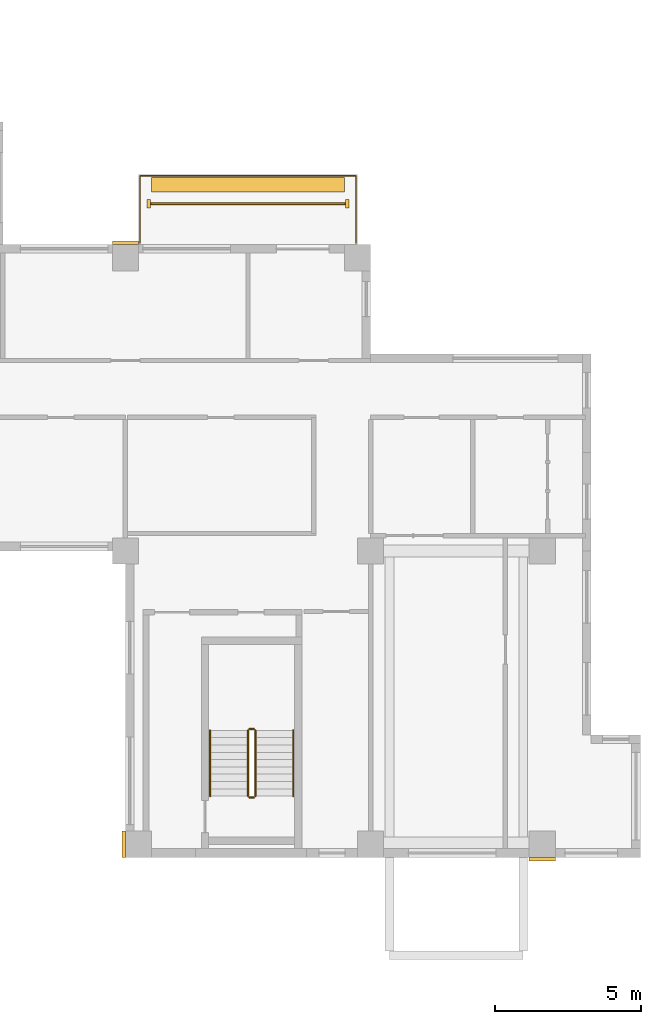
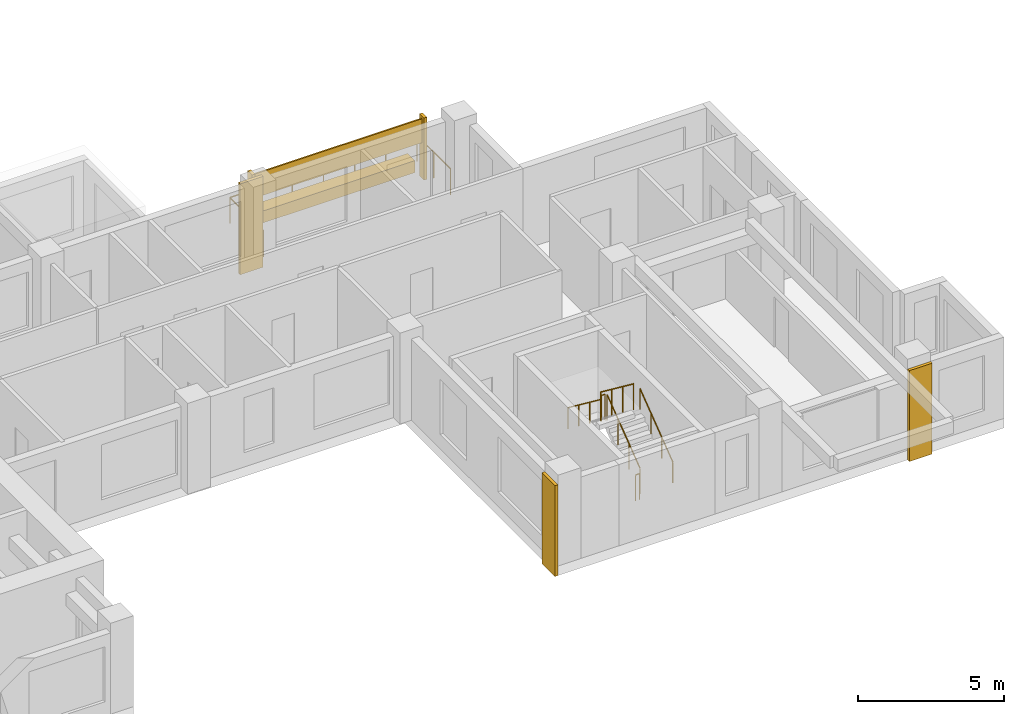
# One storey, part 10 of 11: 7 coverings, 7 railings.
"""IFC4 building model written with IfcOpenShell, lengths in metres."""

from ifc_helpers import new_model, si_unit, direction, frame, origin, origin_2d, place, context, subcontext, project, spatial, rectangle, circle, extrude, source, transform, mapped, material, type_object, element, save


model = new_model("IFC4")

# Units and contexts
model_context = context("Model", 3, precision=1e-05, world=origin(), true_north=direction((0.0, 1.0)))
body_context = subcontext(model_context, "Body", "Model", "MODEL_VIEW")
ifc_project = project(units=[si_unit("LENGTHUNIT", "METRE"), si_unit("AREAUNIT", "SQUARE_METRE"), si_unit("VOLUMEUNIT", "CUBIC_METRE"), si_unit("PLANEANGLEUNIT", "RADIAN"), si_unit("MASSUNIT", "GRAM", prefix="KILO")], contexts=[model_context])

# Site, building, storey
site_placement = place(None, origin())
site = spatial("IfcSite", under=ifc_project, at=site_placement, CompositionType="ELEMENT")
building_placement = place(site_placement, origin())
building = spatial("IfcBuilding", under=site, at=building_placement, Name="Aurelian Terraces", CompositionType="ELEMENT")
storey_placement = place(building_placement, frame((0.0, 0.0, 208.2)))
storey = spatial("IfcBuildingStorey", under=building, at=storey_placement, Name="L46", CompositionType="ELEMENT", Elevation=208.2)

# Railing
ifc_material_1 = material(Name="Anodised aluminium", Category="aluminium")
railing_type_1 = type_object("IfcRailingType", Name="GUARD-1100", PredefinedType="GUARDRAIL", material=ifc_material_1)
railing_1_placement = place(storey_placement, frame((45.7, 21.05, 0.0)))
element("IfcRailing", 1, at=railing_1_placement, inside=storey, type_object=railing_type_1, Name="Balcony guard L46 F11.19", PredefinedType="GUARDRAIL", context=body_context, shape_type="SweptSolid", body=[
    extrude(circle(Radius=0.024, at=origin_2d()), frame((0.0, 0.0, 1.076), z_axis=(0.0, 1.0, 0.0), x_axis=(-1.0, 0.0, 0.0)), (0.0, 0.0, 1.0), 2.3),
    extrude(circle(Radius=0.024, at=origin_2d()), frame((0.0, 2.3, 1.076), z_axis=(-1.0, 0.0, 0.0), x_axis=(0.0, -1.0, 0.0)), (0.0, 0.0, 1.0), 7.4),
    extrude(circle(Radius=0.024, at=origin_2d()), frame((-7.4, 2.3, 1.076), z_axis=(0.0, -1.0, 0.0), x_axis=(1.0, 0.0, 0.0)), (0.0, 0.0, 1.0), 2.3),
    extrude(circle(Radius=0.021, at=origin_2d()), origin(), (0.0, 0.0, 1.0), 1.052),
    extrude(circle(Radius=0.021, at=origin_2d()), frame((0.0, 1.15, 0.0)), (0.0, 0.0, 1.0), 1.052),
    extrude(circle(Radius=0.021, at=origin_2d()), frame((0.0, 2.3, 0.0)), (0.0, 0.0, 1.0), 1.052),
    extrude(circle(Radius=0.021, at=origin_2d()), frame((-1.2333, 2.3, 0.0)), (0.0, 0.0, 1.0), 1.052),
    extrude(circle(Radius=0.021, at=origin_2d()), frame((-2.4667, 2.3, 0.0)), (0.0, 0.0, 1.0), 1.052),
    extrude(circle(Radius=0.021, at=origin_2d()), frame((-3.7, 2.3, 0.0)), (0.0, 0.0, 1.0), 1.052),
    extrude(circle(Radius=0.021, at=origin_2d()), frame((-4.9333, 2.3, 0.0)), (0.0, 0.0, 1.0), 1.052),
    extrude(circle(Radius=0.021, at=origin_2d()), frame((-6.1667, 2.3, 0.0)), (0.0, 0.0, 1.0), 1.052),
    extrude(circle(Radius=0.021, at=origin_2d()), frame((-7.4, 2.3, 0.0)), (0.0, 0.0, 1.0), 1.052),
    extrude(circle(Radius=0.021, at=origin_2d()), frame((-7.4, 1.15, 0.0)), (0.0, 0.0, 1.0), 1.052),
    extrude(circle(Radius=0.021, at=origin_2d()), frame((-7.4, 0.0, 0.0)), (0.0, 0.0, 1.0), 1.052),
])

# Coverings
ifc_material_2 = material(Name="Terracotta planter with planting soil", Category="masonry")
covering_type_1 = type_object("IfcCoveringType", Name="PLANTER-TROUGH", PredefinedType="USERDEFINED", material=ifc_material_2)
covering_1_placement = place(storey_placement, frame((42.0, 23.05, 0.0), z_axis=(0.0, 0.0, 1.0), x_axis=(1.0, 0.0, 0.0)))
element("IfcCovering", 2, at=covering_1_placement, inside=storey, type_object=covering_type_1, Name="PLANTER L46 L46-F11-19", ObjectType="PLANTER", PredefinedType="USERDEFINED", context=body_context, shape_type="SweptSolid", body=[
    extrude(rectangle(XDim=6.6, YDim=0.5, at=origin_2d()), origin(), (0.0, 0.0, 1.0), 0.5),
])
ifc_material_3 = material(Name="Terracotta rainscreen cladding", Category="masonry")
covering_type_2 = type_object("IfcCoveringType", Name="SCREEN-TC", PredefinedType="CLADDING", material=ifc_material_3)
covering_2_placement = place(storey_placement, frame((42.0, 22.4, 1.5), z_axis=(0.0, 0.0, 1.0), x_axis=(1.0, 0.0, 0.0)))
element("IfcCovering", 3, at=covering_2_placement, inside=storey, type_object=covering_type_2, Name="SCREEN L46 L46-F11-19", PredefinedType="CLADDING", context=body_context, shape_type="SweptSolid", body=[
    extrude(rectangle(XDim=6.68, YDim=0.06, at=origin_2d()), origin(), (0.0, 0.0, 1.0), 1.0),
])
ifc_material_4 = material(Name="Terracotta rainscreen cladding relief", Category="masonry")
covering_type_3 = type_object("IfcCoveringType", Name="FIN-TC", PredefinedType="CLADDING", material=ifc_material_4)
shared_shape_1 = source(origin(), body_context, "Body", "SweptSolid", [
    extrude(rectangle(XDim=0.12, YDim=0.3, at=origin_2d()), origin(), (0.0, 0.0, 1.0), 2.6),
])
for number, where, z_axis, x_axis, name in (
    (4, (45.4, 22.4, 0.0), (0.0, 0.0, 1.0), (1.0, 0.0, 0.0), "FIN L46 L46-F11-19.1"),
    (5, (38.6, 22.4, 0.0), (0.0, 0.0, 1.0), (1.0, 0.0, 0.0), "FIN L46 L46-F11-19.2"),
):
    element("IfcCovering", number, at=place(storey_placement, frame(where, z_axis=z_axis, x_axis=x_axis)), inside=storey, type_object=covering_type_3, Name=name, PredefinedType="CLADDING", context=body_context, shape_type="MappedRepresentation", body=[
        mapped(shared_shape_1, transform((0.0, 0.0, 0.0), scale=1.0)),
    ])
covering_type_4 = type_object("IfcCoveringType", Name="BAGUETTE-TC", PredefinedType="CLADDING", material=ifc_material_4)
shared_shape_2 = source(origin(), body_context, "Body", "SweptSolid", [
    extrude(rectangle(XDim=0.9, YDim=0.12, at=origin_2d()), origin(), (0.0, 0.0, 1.0), 3.8),
])
for number, where, z_axis, x_axis, name in (
    (6, (52.08, -0.06, -0.4), (0.0, 0.0, 1.0), (1.0, 0.0, 0.0), "BAGUETTE pier L46 3"),
    (7, (37.8, 21.06, -0.4), (0.0, 0.0, 1.0), (1.0, 0.0, 0.0), "BAGUETTE pier L46 5"),
):
    element("IfcCovering", number, at=place(storey_placement, frame(where, z_axis=z_axis, x_axis=x_axis)), inside=storey, type_object=covering_type_4, Name=name, PredefinedType="CLADDING", context=body_context, shape_type="MappedRepresentation", body=[
        mapped(shared_shape_2, transform((0.0, 0.0, 0.0), scale=1.0)),
    ])
shared_shape_3 = source(origin(), body_context, "Body", "SweptSolid", [
    extrude(rectangle(XDim=0.12, YDim=0.9, at=origin_2d()), origin(), (0.0, 0.0, 1.0), 3.8),
])
covering_3_placement = place(storey_placement, frame((37.74, 0.45, -0.4), z_axis=(0.0, 0.0, 1.0), x_axis=(1.0, 0.0, 0.0)))
element("IfcCovering", 8, at=covering_3_placement, inside=storey, type_object=covering_type_4, Name="BAGUETTE pier L46 2", PredefinedType="CLADDING", context=body_context, shape_type="MappedRepresentation", body=[
    mapped(shared_shape_3, transform((0.0, 0.0, 0.0), scale=1.0)),
])

# Railings
ifc_material_5 = material(Name="Stainless steel", Category="steel")
railing_type_2 = type_object("IfcRailingType", Name="Stair guard 1100", PredefinedType="GUARDRAIL", material=ifc_material_5)
shared_shape_4 = source(origin(), body_context, "Body", "SweptSolid", [
    extrude(circle(Radius=0.024, at=origin_2d()), frame((0.0, 0.0, 1.076), z_axis=(-1.0, 0.0, 0.0), x_axis=(0.0, -1.0, 0.0)), (0.0, 0.0, 1.0), 0.15),
    extrude(circle(Radius=0.021, at=origin_2d()), origin(), (0.0, 0.0, 1.0), 1.052),
    extrude(circle(Radius=0.021, at=origin_2d()), frame((-0.15, 0.0, 0.0)), (0.0, 0.0, 1.0), 1.052),
])
for number, where, name in (
    (9, (42.2, 4.4, 1.9), "L46 S2 stair guard 2"),
    (10, (42.2, 2.05, 0.0), "L46 S2 stair guard 4"),
):
    element("IfcRailing", number, at=place(storey_placement, frame(where)), inside=storey, type_object=railing_type_2, Name=name, PredefinedType="GUARDRAIL", context=body_context, shape_type="MappedRepresentation", body=[
        mapped(shared_shape_4, transform((0.0, 0.0, 0.0), scale=1.0)),
    ])
shared_shape_5 = source(origin(), body_context, "Body", "SweptSolid", [
    extrude(circle(Radius=0.024, at=origin_2d()), frame((0.0, 0.0, 1.076), z_axis=(0.0, 0.796162194123, 0.605083267534), x_axis=(-1.0, 0.0, 0.0)), (0.0, 0.0, 1.0), 2.8261),
    extrude(circle(Radius=0.021, at=origin_2d()), origin(), (0.0, 0.0, 1.0), 1.052),
    extrude(circle(Radius=0.021, at=origin_2d()), frame((0.0, 0.75, 0.57)), (0.0, 0.0, 1.0), 1.052),
    extrude(circle(Radius=0.021, at=origin_2d()), frame((0.0, 1.5, 1.14)), (0.0, 0.0, 1.0), 1.052),
    extrude(circle(Radius=0.021, at=origin_2d()), frame((0.0, 2.25, 1.71)), (0.0, 0.0, 1.0), 1.052),
])
railing_2_placement = place(storey_placement, frame((42.25, 2.1, 0.19)))
element("IfcRailing", 11, at=railing_2_placement, inside=storey, type_object=railing_type_2, Name="L46 S2 stair guard 1", PredefinedType="GUARDRAIL", context=body_context, shape_type="MappedRepresentation", body=[
    mapped(shared_shape_5, transform((0.0, 0.0, 0.0), scale=1.0)),
])
shared_shape_6 = source(origin(), body_context, "Body", "SweptSolid", [
    extrude(circle(Radius=0.024, at=origin_2d()), frame((0.0, 0.0, 1.076), z_axis=(0.0, -0.796162194123, 0.605083267534), x_axis=(1.0, 0.0, 0.0)), (0.0, 0.0, 1.0), 2.8261),
    extrude(circle(Radius=0.021, at=origin_2d()), origin(), (0.0, 0.0, 1.0), 1.052),
    extrude(circle(Radius=0.021, at=origin_2d()), frame((0.0, -0.75, 0.57)), (0.0, 0.0, 1.0), 1.052),
    extrude(circle(Radius=0.021, at=origin_2d()), frame((0.0, -1.5, 1.14)), (0.0, 0.0, 1.0), 1.052),
    extrude(circle(Radius=0.021, at=origin_2d()), frame((0.0, -2.25, 1.71)), (0.0, 0.0, 1.0), 1.052),
])
railing_3_placement = place(storey_placement, frame((42.0, 4.35, 2.09)))
element("IfcRailing", 12, at=railing_3_placement, inside=storey, type_object=railing_type_2, Name="L46 S2 stair guard 3", PredefinedType="GUARDRAIL", context=body_context, shape_type="MappedRepresentation", body=[
    mapped(shared_shape_6, transform((0.0, 0.0, 0.0), scale=1.0)),
])
railing_type_3 = type_object("IfcRailingType", Name="Stair handrail", PredefinedType="HANDRAIL", material=ifc_material_5)
shared_shape_7 = source(origin(), body_context, "Body", "SweptSolid", [
    extrude(circle(Radius=0.024, at=origin_2d()), frame((0.0, 0.0, 0.876), z_axis=(0.0, 0.796162194123, 0.605083267534), x_axis=(-1.0, 0.0, 0.0)), (0.0, 0.0, 1.0), 2.8261),
    extrude(circle(Radius=0.021, at=origin_2d()), origin(), (0.0, 0.0, 1.0), 0.852),
    extrude(circle(Radius=0.021, at=origin_2d()), frame((0.0, 0.75, 0.57)), (0.0, 0.0, 1.0), 0.852),
    extrude(circle(Radius=0.021, at=origin_2d()), frame((0.0, 1.5, 1.14)), (0.0, 0.0, 1.0), 0.852),
    extrude(circle(Radius=0.021, at=origin_2d()), frame((0.0, 2.25, 1.71)), (0.0, 0.0, 1.0), 0.852),
])
railing_4_placement = place(storey_placement, frame((43.55, 2.1, 0.19)))
element("IfcRailing", 13, at=railing_4_placement, inside=storey, type_object=railing_type_3, Name="L46 S2 stair handrail 1", PredefinedType="HANDRAIL", context=body_context, shape_type="MappedRepresentation", body=[
    mapped(shared_shape_7, transform((0.0, 0.0, 0.0), scale=1.0)),
])
shared_shape_8 = source(origin(), body_context, "Body", "SweptSolid", [
    extrude(circle(Radius=0.024, at=origin_2d()), frame((0.0, 0.0, 0.876), z_axis=(0.0, -0.796162194123, 0.605083267534), x_axis=(1.0, 0.0, 0.0)), (0.0, 0.0, 1.0), 2.8261),
    extrude(circle(Radius=0.021, at=origin_2d()), origin(), (0.0, 0.0, 1.0), 0.852),
    extrude(circle(Radius=0.021, at=origin_2d()), frame((0.0, -0.75, 0.57)), (0.0, 0.0, 1.0), 0.852),
    extrude(circle(Radius=0.021, at=origin_2d()), frame((0.0, -1.5, 1.14)), (0.0, 0.0, 1.0), 0.852),
    extrude(circle(Radius=0.021, at=origin_2d()), frame((0.0, -2.25, 1.71)), (0.0, 0.0, 1.0), 0.852),
])
railing_5_placement = place(storey_placement, frame((40.7, 4.35, 2.09)))
element("IfcRailing", 14, at=railing_5_placement, inside=storey, type_object=railing_type_3, Name="L46 S2 stair handrail 2", PredefinedType="HANDRAIL", context=body_context, shape_type="MappedRepresentation", body=[
    mapped(shared_shape_8, transform((0.0, 0.0, 0.0), scale=1.0)),
])

save(model, "model.ifc")
